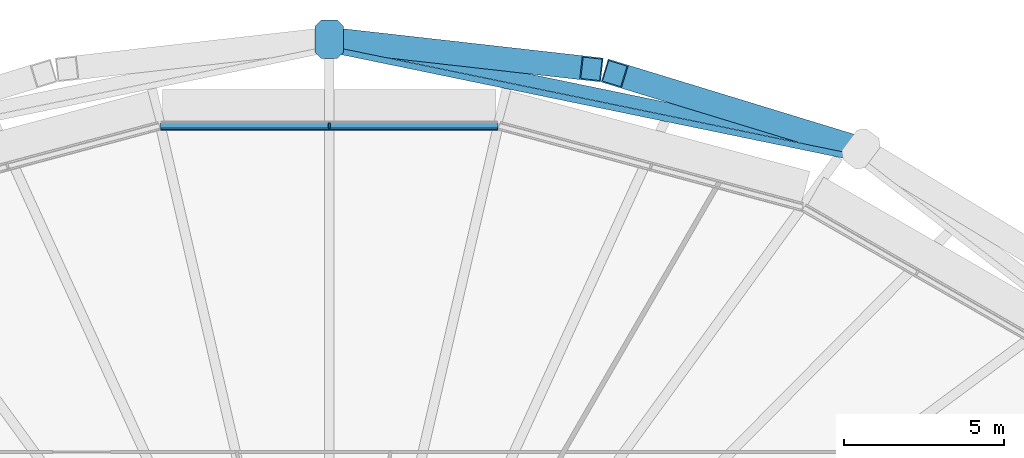
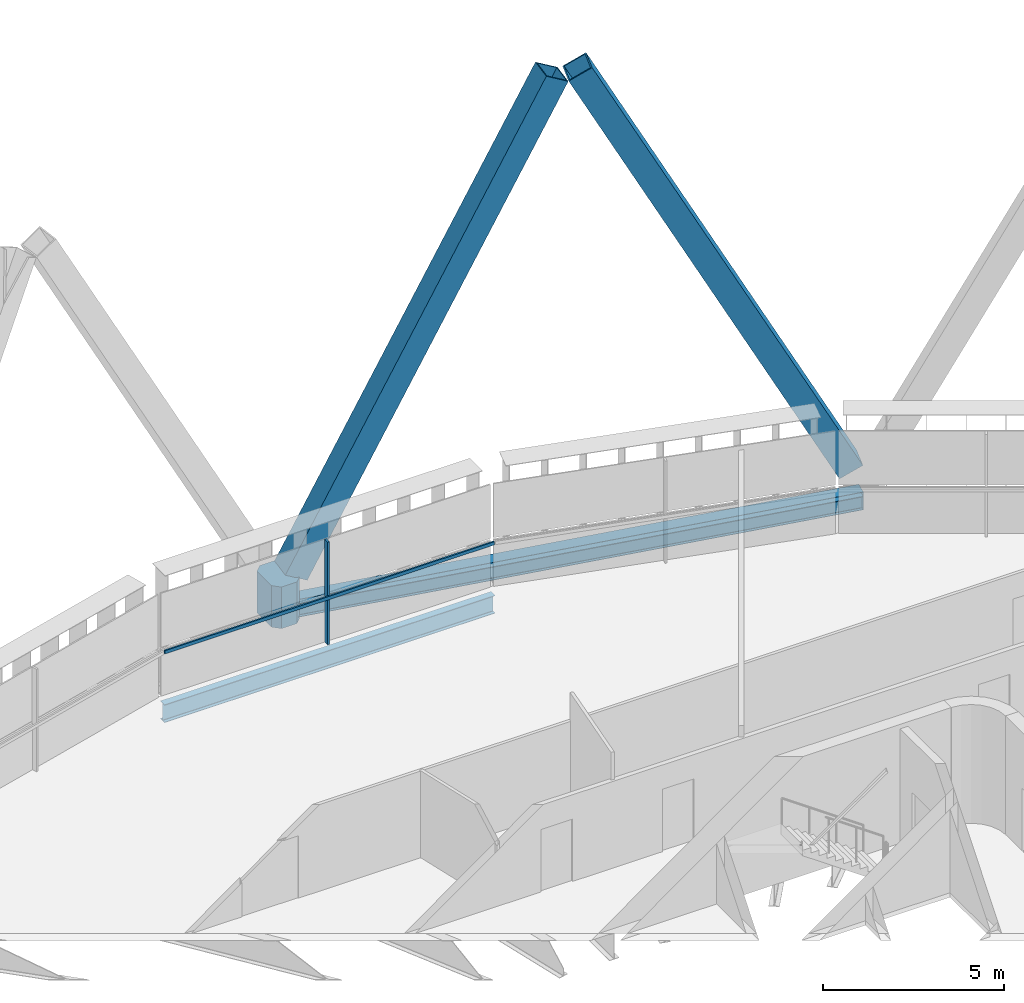
# One storey, part 10 of 23: 5 members, 3 beams, 1 element without a shape of its own.
"""IFC4 building model written with IfcOpenShell, lengths in metres."""

from ifc_helpers import new_model, si_unit, direction, frame, origin, origin_2d, place, context, subcontext, project, spatial, polyline, rectangle, hollow_rectangle, i_section, outline, extrude, material, layer, layer_set, material_profile, profile_set, type_object, element, aggregate, save


model = new_model("IFC4")

# Units and contexts
model_context = context("Model", 3, precision=1e-05, world=origin(), true_north=direction((0.0, 1.0)))
body_context = subcontext(model_context, "Body", "Model", "MODEL_VIEW")
ifc_project = project(units=[si_unit("LENGTHUNIT", "METRE"), si_unit("AREAUNIT", "SQUARE_METRE"), si_unit("VOLUMEUNIT", "CUBIC_METRE"), si_unit("PLANEANGLEUNIT", "RADIAN"), si_unit("MASSUNIT", "GRAM", prefix="KILO")], contexts=[model_context])

# Site, building, storey
site_placement = place(None, origin())
site = spatial("IfcSite", under=ifc_project, at=site_placement, CompositionType="ELEMENT")
building_placement = place(site_placement, origin())
building = spatial("IfcBuilding", under=site, at=building_placement, Name="Sahrelin Media Tower", CompositionType="ELEMENT")
storey_placement = place(building_placement, frame((0.0, 0.0, 217.60009765625)))
storey = spatial("IfcBuildingStorey", under=building, at=storey_placement, Name="L46", CompositionType="ELEMENT", Elevation=217.60009765625)

# Members
ifc_material_1 = material(Name="Steel S460", Category="steel")
ifc_material_profile_1 = material_profile(ifc_material_1, hollow_rectangle(XDim=0.75, YDim=0.75, WallThickness=0.0400390625, at=origin_2d()), Name="Diagrid diagonal DG6")
ifc_profile_set_1 = profile_set([ifc_material_profile_1], Name="Steel S460")
member_type_1 = type_object("IfcMemberType", Name="Diagrid diagonal DG6", PredefinedType="BRACE", material=ifc_profile_set_1)
member_1_placement = place(storey_placement, frame((16.234375, 22.218994140625, 0.699951171875), z_axis=(-0.444550458227, 0.135899842006, 0.885384731647), x_axis=(-0.292346380443, -0.956312498006, 0.0)))
element("IfcMember", 1, at=member_1_placement, inside=storey, type_object=member_type_1, Name="Diagrid diagonal D10-04", PredefinedType="BRACE", context=body_context, shape_type="SweptSolid", body=[
    extrude(hollow_rectangle(XDim=0.75, YDim=0.75, WallThickness=0.0400390625, at=origin_2d()), origin(), (0.0, 0.0, 1.0), 16.48974609375),
])
member_2_placement = place(storey_placement, frame((0.374267578125, 25.489990234375, 0.699951171875), z_axis=(0.47073958904, -0.053104550542, 0.880672553235), x_axis=(0.112099834175, 0.993696949365, 0.0)))
element("IfcMember", 2, at=member_2_placement, inside=storey, type_object=member_type_1, Name="Diagrid diagonal D10-05", PredefinedType="BRACE", context=body_context, shape_type="SweptSolid", body=[
    extrude(hollow_rectangle(XDim=0.75, YDim=0.75, WallThickness=0.0400390625, at=origin_2d()), origin(), (0.0, 0.0, 1.0), 16.578125),
])
ifc_material_profile_2 = material_profile(ifc_material_1, outline(polyline([(0.39990234375, -0.449951171875), (0.60009765625, -0.25), (0.60009765625, 0.25), (0.39990234375, 0.449951171875), (-0.39990234375, 0.449951171875), (-0.60009765625, 0.25), (-0.60009765625, -0.25), (-0.39990234375, -0.449951171875), (0.39990234375, -0.449951171875)])), Name="Diagrid node block 1200")
ifc_profile_set_2 = profile_set([ifc_material_profile_2], Name="Steel S460")
member_type_2 = type_object("IfcMemberType", Name="Diagrid node block 1200", PredefinedType="USERDEFINED", material=ifc_profile_set_2)
member_3_placement = place(storey_placement, frame((0.0, 25.5322265625, -0.7001953125), z_axis=(0.0, 0.0, 1.0), x_axis=(0.0, 1.0, 0.0)))
element("IfcMember", 3, at=member_3_placement, inside=storey, type_object=member_type_2, Name="Diagrid node N10-03", ObjectType="NODE", PredefinedType="USERDEFINED", context=body_context, shape_type="SweptSolid", body=[
    extrude(outline(polyline([(0.39990234375, -0.449951171875), (0.60009765625, -0.25), (0.60009765625, 0.25), (0.39990234375, 0.449951171875), (-0.39990234375, 0.449951171875), (-0.60009765625, 0.25), (-0.60009765625, -0.25), (-0.39990234375, -0.449951171875), (0.39990234375, -0.449951171875)])), origin(), (0.0, 0.0, 1.0), 1.400146484375),
])

# Beams
ifc_material_profile_3 = material_profile(ifc_material_1, hollow_rectangle(XDim=0.39990234375, YDim=0.60009765625, WallThickness=0.030029296875, at=origin_2d()), Name="Diagrid ring beam RB1")
ifc_profile_set_3 = profile_set([ifc_material_profile_3], Name="Steel S460")
beam_type_1 = type_object("IfcBeamType", Name="Diagrid ring beam RB1", PredefinedType="BEAM", material=ifc_profile_set_3)
beam_1_placement = place(storey_placement, frame((16.5859375, 22.111572265625, -0.4501953125), z_axis=(-0.979388146689, 0.201987272186, 0.0), x_axis=(-0.201987272186, -0.979388146689, 0.0)))
element("IfcBeam", 4, at=beam_1_placement, inside=storey, type_object=beam_type_1, Name="Diagrid ring beam RB10-02", PredefinedType="BEAM", context=body_context, shape_type="SweptSolid", body=[
    extrude(hollow_rectangle(XDim=0.39990234375, YDim=0.60009765625, WallThickness=0.030029296875, at=origin_2d()), origin(), (0.0, 0.0, 1.0), 16.93505859375),
])
ifc_material_2 = material(Name="Steel S355", Category="steel")
ifc_material_profile_4 = material_profile(ifc_material_2, i_section(OverallWidth=0.2275390625, OverallDepth=0.6025390625, WebThickness=0.010498046875, FlangeThickness=0.014892578125, FilletRadius=0.0126953125, at=origin_2d()), Name="UB 610x229x101")
ifc_profile_set_4 = profile_set([ifc_material_profile_4], Name="Steel S355")
beam_type_2 = type_object("IfcBeamType", Name="Edge beam EB7", PredefinedType="BEAM", material=ifc_profile_set_4)
beam_2_placement = place(storey_placement, frame((-5.261474609375, 22.802001953125, -0.451416015625), z_axis=(1.0, 0.0, 0.0), x_axis=(0.0, 1.0, 0.0)))
element("IfcBeam", 5, at=beam_2_placement, inside=storey, type_object=beam_type_2, Name="Edge beam L46-19", PredefinedType="BEAM", context=body_context, shape_type="SweptSolid", body=[
    extrude(i_section(OverallWidth=0.2275390625, OverallDepth=0.6025390625, WebThickness=0.010498046875, FlangeThickness=0.014892578125, FilletRadius=0.0126953125, at=origin_2d()), origin(), (0.0, 0.0, 1.0), 10.52294921875),
])

# Curtain wall, member
ifc_material_3 = material(Name="Champagne anodised aluminium 6063-T6", Category="aluminium")
ifc_layer = layer(ifc_material_3, 0.14990234375)
ifc_layer_set = layer_set([ifc_layer], Name="Tower ribbon curtain wall")
curtain_wall_type = type_object("IfcCurtainWallType", Name="Tower ribbon curtain wall", PredefinedType="NOTDEFINED", material=ifc_layer_set)
curtain_wall_placement = place(storey_placement, frame((0.0, 22.9521484375, 0.0), z_axis=(0.0, 0.0, 1.0), x_axis=(1.0, 0.0, 0.0)))
curtain_wall = element("IfcCurtainWall", 6, at=curtain_wall_placement, inside=storey, type_object=curtain_wall_type, Name="L46:CW:L46-06", PredefinedType="NOTDEFINED")
ifc_material_profile_5 = material_profile(ifc_material_3, rectangle(XDim=0.06005859375, YDim=0.175048828125, at=origin_2d()), Name="Mullion 60x175")
ifc_profile_set_5 = profile_set([ifc_material_profile_5], Name="Champagne anodised aluminium 6063-T6")
member_type_3 = type_object("IfcMemberType", Name="Mullion 60x175 CW1B", PredefinedType="MULLION", material=ifc_profile_set_5)
member_4_placement = place(storey_placement, frame((0.0, 22.844482421875, 0.0), z_axis=(0.0, 0.0, 1.0), x_axis=(-1.0, 0.0, 0.0)))
member_4 = element("IfcMember", 7, at=member_4_placement, type_object=member_type_3, Name="L46:CWM:L46-06", PredefinedType="MULLION", context=body_context, shape_type="SweptSolid", body=[
    extrude(rectangle(XDim=0.06005859375, YDim=0.175048828125, at=origin_2d()), origin(), (0.0, 0.0, 1.0), 3.448486328125),
])

# Beam
ifc_material_profile_6 = material_profile(ifc_material_2, i_section(OverallWidth=0.1904296875, OverallDepth=0.45703125, WebThickness=0.009033203125, FlangeThickness=0.014404296875, FilletRadius=0.01025390625, at=origin_2d()), Name="UB 457x191x74")
ifc_profile_set_6 = profile_set([ifc_material_profile_6], Name="Steel S355")
beam_type_3 = type_object("IfcBeamType", Name="Tie chord TC5", PredefinedType="BEAM", material=ifc_profile_set_6)
beam_3_placement = place(storey_placement, frame((0.0, 25.2255859375, -0.378662109375), z_axis=(0.979386763323, -0.201993979684, 0.0), x_axis=(0.201993979684, 0.979386763323, 0.0)))
element("IfcBeam", 8, at=beam_3_placement, inside=storey, type_object=beam_type_3, Name="Tie chord L46-10", PredefinedType="BEAM", context=body_context, shape_type="SweptSolid", body=[
    extrude(i_section(OverallWidth=0.1904296875, OverallDepth=0.45703125, WebThickness=0.009033203125, FlangeThickness=0.014404296875, FilletRadius=0.01025390625, at=origin_2d()), origin(), (0.0, 0.0, 1.0), 16.803955078125),
])

# Member
ifc_material_profile_7 = material_profile(ifc_material_3, rectangle(XDim=0.050048828125, YDim=0.110107421875, at=origin_2d()), Name="Transom 50x110")
ifc_profile_set_7 = profile_set([ifc_material_profile_7], Name="Champagne anodised aluminium 6063-T6")
member_type_4 = type_object("IfcMemberType", Name="Transom 50x110 CW1B", PredefinedType="USERDEFINED", material=ifc_profile_set_7)
member_5_placement = place(storey_placement, frame((5.245849609375, 22.732177734375, 1.599853515625), z_axis=(-1.0, 0.0, 0.0), x_axis=(0.0, -1.0, 0.0)))
member_5 = element("IfcMember", 9, at=member_5_placement, type_object=member_type_4, Name="L46:CWT:L46-06", ObjectType="TRANSOM", PredefinedType="USERDEFINED", context=body_context, shape_type="SweptSolid", body=[
    extrude(rectangle(XDim=0.050048828125, YDim=0.110107421875, at=origin_2d()), origin(), (0.0, 0.0, 1.0), 10.49169921875),
])

aggregate(curtain_wall, [member_4, member_5])

save(model, "model.ifc")
